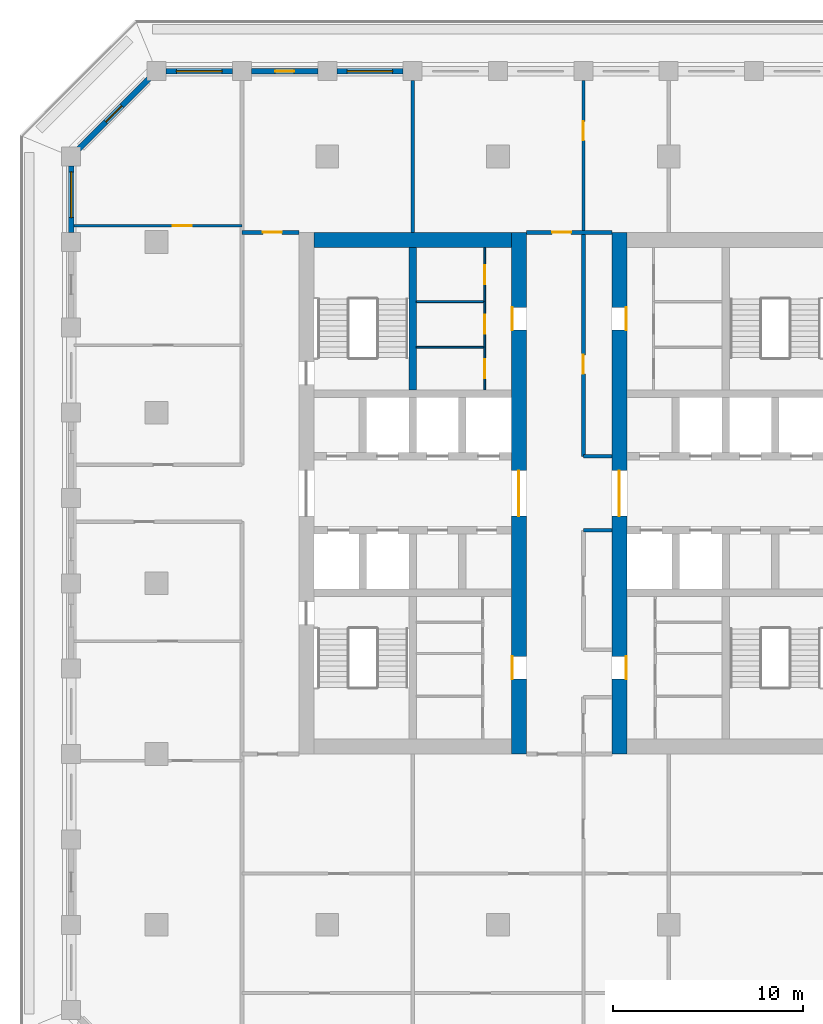
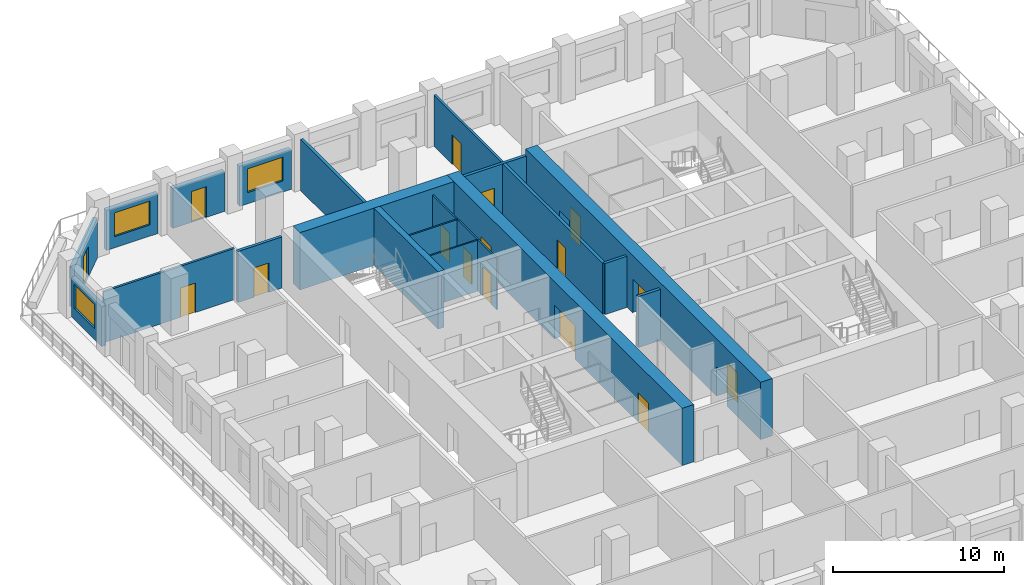
# One storey, part 6 of 16: 22 walls, 16 doors, 3 windows, 19 openings.
"""IFC4 building model written with IfcOpenShell, lengths in metres."""

from ifc_helpers import new_model, si_unit, direction, frame, frame_2d, origin, place, context, subcontext, project, spatial, rectangle, extrude, material, layer, layer_set, type_object, element, fill, save


model = new_model("IFC4")

# Units and contexts
model_context = context("Model", 3, precision=1e-05, world=origin(), true_north=direction((0.0, 1.0)))
body_context = subcontext(model_context, "Body", "Model", "MODEL_VIEW")
ifc_project = project(units=[si_unit("LENGTHUNIT", "METRE"), si_unit("AREAUNIT", "SQUARE_METRE"), si_unit("VOLUMEUNIT", "CUBIC_METRE"), si_unit("PLANEANGLEUNIT", "RADIAN"), si_unit("MASSUNIT", "GRAM", prefix="KILO")], contexts=[model_context])

# Site, building, storey
site_placement = place(None, origin())
site = spatial("IfcSite", under=ifc_project, at=site_placement, CompositionType="ELEMENT")
building_placement = place(site_placement, origin())
building = spatial("IfcBuilding", under=site, at=building_placement, Name="Corbel Stack Research Tower", CompositionType="ELEMENT")
storey_placement = place(building_placement, frame((0.0, 0.0, 212.0)))
storey = spatial("IfcBuildingStorey", under=building, at=storey_placement, Name="L48", CompositionType="ELEMENT", Elevation=212.0)

# Wall
ifc_material_1 = material(Name="Concrete C60/75", Category="concrete")
ifc_layer_1 = layer(ifc_material_1, 0.39990234375)
ifc_layer_set_1 = layer_set([ifc_layer_1], Name="Concrete C60/75")
wall_type_1 = type_object("IfcWallType", Name="CW-400-60", PredefinedType="SHEAR", material=ifc_layer_set_1)
wall_1_placement = place(storey_placement, frame((-4.5, 10.199951171875, 0.0), z_axis=(0.0, 0.0, 1.0), x_axis=(0.0, 1.0, 0.0)))
element("IfcWall", 1, at=wall_1_placement, inside=storey, type_object=wall_type_1, Name="West core wall, north stair and riser L48", PredefinedType="SHEAR", context=body_context, shape_type="SweptSolid", body=[
    extrude(rectangle(XDim=7.5, YDim=0.39990234375, at=frame_2d((3.75, 0.0))), origin(), (0.0, 0.0, 1.0), 4.10009765625),
])

# Wall, openings, doors
ifc_material_2 = material(Name="Concrete C60/75", Category="concrete")
ifc_layer_2 = layer(ifc_material_2, 0.800048828125)
ifc_layer_set_2 = layer_set([ifc_layer_2], Name="Concrete C60/75")
wall_type_2 = type_object("IfcWallType", Name="CW-800-60", PredefinedType="SHEAR", material=ifc_layer_set_2)
wall_2_placement = place(storey_placement, frame((1.10009765625, -9.0, 0.0), z_axis=(0.0, 0.0, 1.0), x_axis=(0.0, 1.0, 0.0)))
wall_2 = element("IfcWall", 2, at=wall_2_placement, inside=storey, type_object=wall_type_2, Name="West core wall, east face L48", PredefinedType="SHEAR", context=body_context, shape_type="SweptSolid", body=[
    extrude(rectangle(XDim=27.5, YDim=0.800048828125, at=frame_2d((13.75, 0.0))), origin(), (0.0, 0.0, 1.0), 4.10009765625),
])
opening_1_placement = place(wall_2_placement, frame((12.550048828125, 0.0, 0.0)))
opening_1 = element("IfcOpeningElement", 3, at=opening_1_placement, cuts=wall_2, Name="Opening CD-W-E", PredefinedType="OPENING", context=body_context, shape_type="SweptSolid", body=[
    extrude(rectangle(XDim=2.39990234375, YDim=2.39990234375, at=frame_2d((1.199951171875, 1.199951171875))), frame((0.0, 0.409912109375, 0.0), z_axis=(0.0, -1.0, 0.0), x_axis=(1.0, 0.0, 0.0)), (0.0, 0.0, 1.0), 0.820068359375),
])
opening_2_placement = place(wall_2_placement, frame((3.949951171875, 0.0, 0.0)))
opening_2 = element("IfcOpeningElement", 4, at=opening_2_placement, cuts=wall_2, Name="Opening CR-W42-W1-1200", PredefinedType="OPENING", context=body_context, shape_type="SweptSolid", body=[
    extrude(rectangle(XDim=1.199951171875, YDim=2.10009765625, at=frame_2d((0.60009765625, 1.050048828125))), frame((0.0, 0.409912109375, 0.0), z_axis=(0.0, -1.0, 0.0), x_axis=(1.0, 0.0, 0.0)), (0.0, 0.0, 1.0), 0.820068359375),
])
opening_3_placement = place(wall_2_placement, frame((22.35009765625, 0.0, 0.0)))
opening_3 = element("IfcOpeningElement", 5, at=opening_3_placement, cuts=wall_2, Name="Opening CR-W42-R1-1200", PredefinedType="OPENING", context=body_context, shape_type="SweptSolid", body=[
    extrude(rectangle(XDim=1.199951171875, YDim=2.10009765625, at=frame_2d((0.60009765625, 1.050048828125))), frame((0.0, 0.409912109375, 0.0), z_axis=(0.0, -1.0, 0.0), x_axis=(1.0, 0.0, 0.0)), (0.0, 0.0, 1.0), 0.820068359375),
])
ifc_material_3 = material(Name="Painted steel fire door", Category="steel")
door_type_1 = type_object("IfcDoorType", Name="Lobby door pair 2400 x 2400 FD30S", OperationType="DOUBLE_DOOR_DOUBLE_SWING", PredefinedType="DOOR", material=ifc_material_3)
door_1_placement = place(opening_1_placement, origin())
door_1 = element("IfcDoor", 6, at=door_1_placement, inside=storey, type_object=door_type_1, Name="Lift lobby door W core E", OperationType="DOUBLE_DOOR_DOUBLE_SWING", OverallHeight=2.39990234375, OverallWidth=2.39990234375, PredefinedType="DOOR", context=body_context, shape_type="SweptSolid", body=[
    extrude(rectangle(XDim=2.39990234375, YDim=2.39990234375, at=frame_2d((1.199951171875, 1.199951171875))), frame((0.0, 0.02490234375, 0.0), z_axis=(0.0, -1.0, 0.0), x_axis=(1.0, 0.0, 0.0)), (0.0, 0.0, 1.0), 0.050048828125),
])
fill(opening_1, door_1)
ifc_material_4 = material(Name="Painted steel door", Category="steel")
door_type_2 = type_object("IfcDoorType", Name="Service door 1200 x 2100 FD30 left hand", OperationType="SINGLE_SWING_LEFT", PredefinedType="DOOR", material=ifc_material_4)
door_2_placement = place(opening_3_placement, origin())
door_2 = element("IfcDoor", 7, at=door_2_placement, inside=storey, type_object=door_type_2, Name="Service passage door W core", OperationType="SINGLE_SWING_LEFT", OverallHeight=2.10009765625, OverallWidth=1.199951171875, PredefinedType="DOOR", context=body_context, shape_type="SweptSolid", body=[
    extrude(rectangle(XDim=1.199951171875, YDim=2.10009765625, at=frame_2d((0.60009765625, 1.050048828125))), frame((0.0, 0.375, 0.0), z_axis=(0.0, -1.0, 0.0), x_axis=(1.0, 0.0, 0.0)), (0.0, 0.0, 1.0), 0.050048828125),
])
fill(opening_3, door_2)
ifc_material_5 = material(Name="Painted timber door", Category="wood")
door_type_3 = type_object("IfcDoorType", Name="WC door 1200 x 2100 left hand", OperationType="SINGLE_SWING_LEFT", PredefinedType="DOOR", material=ifc_material_5)
door_3_placement = place(opening_2_placement, origin())
door_3 = element("IfcDoor", 8, at=door_3_placement, inside=storey, type_object=door_type_3, Name="WC lobby door W core", OperationType="SINGLE_SWING_LEFT", OverallHeight=2.10009765625, OverallWidth=1.199951171875, PredefinedType="DOOR", context=body_context, shape_type="SweptSolid", body=[
    extrude(rectangle(XDim=1.199951171875, YDim=2.10009765625, at=frame_2d((0.60009765625, 1.050048828125))), frame((0.0, 0.375, 0.0), z_axis=(0.0, -1.0, 0.0), x_axis=(1.0, 0.0, 0.0)), (0.0, 0.0, 1.0), 0.050048828125),
])
fill(opening_2, door_3)

# Wall
wall_3_placement = place(storey_placement, frame((-9.699951171875, 18.10009765625, 0.0), z_axis=(0.0, 0.0, 1.0), x_axis=(1.0, 0.0, 0.0)))
element("IfcWall", 9, at=wall_3_placement, inside=storey, type_object=wall_type_2, Name="West core wall, north end L48", PredefinedType="SHEAR", context=body_context, shape_type="SweptSolid", body=[
    extrude(rectangle(XDim=10.39990234375, YDim=0.800048828125, at=frame_2d((5.199951171875, 0.0))), origin(), (0.0, 0.0, 1.0), 4.10009765625),
])

# Wall, openings, doors
wall_4_placement = place(storey_placement, frame((6.39990234375, -9.0, 0.0), z_axis=(0.0, 0.0, 1.0), x_axis=(0.0, 1.0, 0.0)))
wall_4 = element("IfcWall", 10, at=wall_4_placement, inside=storey, type_object=wall_type_2, Name="East core wall, west face L48", PredefinedType="SHEAR", context=body_context, shape_type="SweptSolid", body=[
    extrude(rectangle(XDim=27.5, YDim=0.800048828125, at=frame_2d((13.75, 0.0))), origin(), (0.0, 0.0, 1.0), 4.10009765625),
])
opening_4_placement = place(wall_4_placement, frame((12.550048828125, 0.0, 0.0)))
opening_4 = element("IfcOpeningElement", 11, at=opening_4_placement, cuts=wall_4, Name="Opening CD-E-W", PredefinedType="OPENING", context=body_context, shape_type="SweptSolid", body=[
    extrude(rectangle(XDim=2.39990234375, YDim=2.39990234375, at=frame_2d((1.199951171875, 1.199951171875))), frame((0.0, 0.409912109375, 0.0), z_axis=(0.0, -1.0, 0.0), x_axis=(1.0, 0.0, 0.0)), (0.0, 0.0, 1.0), 0.820068359375),
])
opening_5_placement = place(wall_4_placement, frame((3.949951171875, 0.0, 0.0)))
opening_5 = element("IfcOpeningElement", 12, at=opening_5_placement, cuts=wall_4, Name="Opening CR-E42-W1-1200", PredefinedType="OPENING", context=body_context, shape_type="SweptSolid", body=[
    extrude(rectangle(XDim=1.199951171875, YDim=2.10009765625, at=frame_2d((0.60009765625, 1.050048828125))), frame((0.0, 0.409912109375, 0.0), z_axis=(0.0, -1.0, 0.0), x_axis=(1.0, 0.0, 0.0)), (0.0, 0.0, 1.0), 0.820068359375),
])
opening_6_placement = place(wall_4_placement, frame((22.35009765625, 0.0, 0.0)))
opening_6 = element("IfcOpeningElement", 13, at=opening_6_placement, cuts=wall_4, Name="Opening CR-E42-R1-1200", PredefinedType="OPENING", context=body_context, shape_type="SweptSolid", body=[
    extrude(rectangle(XDim=1.199951171875, YDim=2.10009765625, at=frame_2d((0.60009765625, 1.050048828125))), frame((0.0, 0.409912109375, 0.0), z_axis=(0.0, -1.0, 0.0), x_axis=(1.0, 0.0, 0.0)), (0.0, 0.0, 1.0), 0.820068359375),
])
door_4_placement = place(opening_4_placement, origin())
door_4 = element("IfcDoor", 14, at=door_4_placement, inside=storey, type_object=door_type_1, Name="Lift lobby door E core W", OperationType="DOUBLE_DOOR_DOUBLE_SWING", OverallHeight=2.39990234375, OverallWidth=2.39990234375, PredefinedType="DOOR", context=body_context, shape_type="SweptSolid", body=[
    extrude(rectangle(XDim=2.39990234375, YDim=2.39990234375, at=frame_2d((1.199951171875, 1.199951171875))), frame((0.0, 0.02490234375, 0.0), z_axis=(0.0, -1.0, 0.0), x_axis=(1.0, 0.0, 0.0)), (0.0, 0.0, 1.0), 0.050048828125),
])
fill(opening_4, door_4)
ifc_material_6 = material(Name="Painted steel door", Category="steel")
door_type_4 = type_object("IfcDoorType", Name="Service door 1200 x 2100 FD30 right hand", OperationType="SINGLE_SWING_RIGHT", PredefinedType="DOOR", material=ifc_material_6)
door_5_placement = place(opening_6_placement, origin())
door_5 = element("IfcDoor", 15, at=door_5_placement, inside=storey, type_object=door_type_4, Name="Service passage door E core", OperationType="SINGLE_SWING_RIGHT", OverallHeight=2.10009765625, OverallWidth=1.199951171875, PredefinedType="DOOR", context=body_context, shape_type="SweptSolid", body=[
    extrude(rectangle(XDim=1.199951171875, YDim=2.10009765625, at=frame_2d((0.60009765625, 1.050048828125))), frame((0.0, -0.3251953125, 0.0), z_axis=(0.0, -1.0, 0.0), x_axis=(1.0, 0.0, 0.0)), (0.0, 0.0, 1.0), 0.050048828125),
])
fill(opening_6, door_5)
ifc_material_7 = material(Name="Painted timber door", Category="wood")
door_type_5 = type_object("IfcDoorType", Name="WC door 1200 x 2100 right hand", OperationType="SINGLE_SWING_RIGHT", PredefinedType="DOOR", material=ifc_material_7)
door_6_placement = place(opening_5_placement, origin())
door_6 = element("IfcDoor", 16, at=door_6_placement, inside=storey, type_object=door_type_5, Name="WC lobby door E core", OperationType="SINGLE_SWING_RIGHT", OverallHeight=2.10009765625, OverallWidth=1.199951171875, PredefinedType="DOOR", context=body_context, shape_type="SweptSolid", body=[
    extrude(rectangle(XDim=1.199951171875, YDim=2.10009765625, at=frame_2d((0.60009765625, 1.050048828125))), frame((0.0, -0.3251953125, 0.0), z_axis=(0.0, -1.0, 0.0), x_axis=(1.0, 0.0, 0.0)), (0.0, 0.0, 1.0), 0.050048828125),
])
fill(opening_5, door_6)

# Wall, opening, door
ifc_material_8 = material(Name="Gypsum board")
ifc_layer_3 = layer(ifc_material_8, 0.10009765625)
ifc_layer_set_3 = layer_set([ifc_layer_3], Name="Gypsum board")
wall_type_3 = type_object("IfcWallType", Name="Core partition 100", PredefinedType="PARTITIONING", material=ifc_layer_set_3)
wall_5_placement = place(storey_placement, frame((-0.699951171875, 10.199951171875, 0.0), z_axis=(0.0, 0.0, 1.0), x_axis=(0.0, 1.0, 0.0)))
wall_5 = element("IfcWall", 17, at=wall_5_placement, inside=storey, type_object=wall_type_3, Name="Core partition W", PredefinedType="PARTITIONING", context=body_context, shape_type="SweptSolid", body=[
    extrude(rectangle(XDim=2.25, YDim=0.10009765625, at=frame_2d((1.125, 0.0))), origin(), (0.0, 0.0, 1.0), 3.64990234375),
])
opening_7_placement = place(wall_5_placement, frame((0.625, 0.0, 0.0)))
opening_7 = element("IfcOpeningElement", 18, at=opening_7_placement, cuts=wall_5, Name="Opening CR-W42-R2-1000", PredefinedType="OPENING", context=body_context, shape_type="SweptSolid", body=[
    extrude(rectangle(XDim=1.0, YDim=2.10009765625, at=frame_2d((0.5, 1.050048828125))), frame((0.0, 0.06005859375, 0.0), z_axis=(0.0, -1.0, 0.0), x_axis=(1.0, 0.0, 0.0)), (0.0, 0.0, 1.0), 0.1201171875),
])
ifc_material_9 = material(Name="Painted steel door", Category="steel")
door_type_6 = type_object("IfcDoorType", Name="Riser door 1000 x 2100 FD60 right hand", OperationType="SINGLE_SWING_RIGHT", PredefinedType="DOOR", material=ifc_material_9)
door_7_placement = place(opening_7_placement, origin())
door_7 = element("IfcDoor", 19, at=door_7_placement, inside=storey, type_object=door_type_6, Name="Mechanical riser door W core", OperationType="SINGLE_SWING_RIGHT", OverallHeight=2.10009765625, OverallWidth=1.0, PredefinedType="DOOR", context=body_context, shape_type="SweptSolid", body=[
    extrude(rectangle(XDim=1.0, YDim=2.10009765625, at=frame_2d((0.5, 1.050048828125))), frame((0.0, 0.02490234375, 0.0), z_axis=(0.0, -1.0, 0.0), x_axis=(1.0, 0.0, 0.0)), (0.0, 0.0, 1.0), 0.050048828125),
])
fill(opening_7, door_7)

wall_6_placement = place(storey_placement, frame((-0.699951171875, 12.449951171875, 0.0), z_axis=(0.0, 0.0, 1.0), x_axis=(0.0, 1.0, 0.0)))
wall_6 = element("IfcWall", 20, at=wall_6_placement, inside=storey, type_object=wall_type_3, Name="Core partition W", PredefinedType="PARTITIONING", context=body_context, shape_type="SweptSolid", body=[
    extrude(rectangle(XDim=2.400146484375, YDim=0.10009765625, at=frame_2d((1.2001953125, 0.0))), origin(), (0.0, 0.0, 1.0), 3.64990234375),
])
opening_8_placement = place(wall_6_placement, frame((0.699951171875, 0.0, 0.0)))
opening_8 = element("IfcOpeningElement", 21, at=opening_8_placement, cuts=wall_6, Name="Opening CR-W42-R3-1000", PredefinedType="OPENING", context=body_context, shape_type="SweptSolid", body=[
    extrude(rectangle(XDim=1.0, YDim=2.10009765625, at=frame_2d((0.5, 1.050048828125))), frame((0.0, 0.06005859375, 0.0), z_axis=(0.0, -1.0, 0.0), x_axis=(1.0, 0.0, 0.0)), (0.0, 0.0, 1.0), 0.1201171875),
])
ifc_material_10 = material(Name="Painted steel door", Category="steel")
door_type_7 = type_object("IfcDoorType", Name="Service door 1000 x 2100 FD30 left hand", OperationType="SINGLE_SWING_LEFT", PredefinedType="DOOR", material=ifc_material_10)
door_8_placement = place(opening_8_placement, origin())
door_8 = element("IfcDoor", 22, at=door_8_placement, inside=storey, type_object=door_type_7, Name="Pantry door W core", OperationType="SINGLE_SWING_LEFT", OverallHeight=2.10009765625, OverallWidth=1.0, PredefinedType="DOOR", context=body_context, shape_type="SweptSolid", body=[
    extrude(rectangle(XDim=1.0, YDim=2.10009765625, at=frame_2d((0.5, 1.050048828125))), frame((0.0, 0.02490234375, 0.0), z_axis=(0.0, -1.0, 0.0), x_axis=(1.0, 0.0, 0.0)), (0.0, 0.0, 1.0), 0.050048828125),
])
fill(opening_8, door_8)

wall_7_placement = place(storey_placement, frame((-0.699951171875, 14.85009765625, 0.0), z_axis=(0.0, 0.0, 1.0), x_axis=(0.0, 1.0, 0.0)))
wall_7 = element("IfcWall", 23, at=wall_7_placement, inside=storey, type_object=wall_type_3, Name="Core partition W", PredefinedType="PARTITIONING", context=body_context, shape_type="SweptSolid", body=[
    extrude(rectangle(XDim=2.849853515625, YDim=0.10009765625, at=frame_2d((1.4248046875, 0.0))), origin(), (0.0, 0.0, 1.0), 3.64990234375),
])
opening_9_placement = place(wall_7_placement, frame((0.925048828125, 0.0, 0.0)))
opening_9 = element("IfcOpeningElement", 24, at=opening_9_placement, cuts=wall_7, Name="Opening CR-W42-R4-1000", PredefinedType="OPENING", context=body_context, shape_type="SweptSolid", body=[
    extrude(rectangle(XDim=1.0, YDim=2.10009765625, at=frame_2d((0.5, 1.050048828125))), frame((0.0, 0.06005859375, 0.0), z_axis=(0.0, -1.0, 0.0), x_axis=(1.0, 0.0, 0.0)), (0.0, 0.0, 1.0), 0.1201171875),
])
door_9_placement = place(opening_9_placement, origin())
door_9 = element("IfcDoor", 25, at=door_9_placement, inside=storey, type_object=door_type_6, Name="Electrical riser door W core", OperationType="SINGLE_SWING_RIGHT", OverallHeight=2.10009765625, OverallWidth=1.0, PredefinedType="DOOR", context=body_context, shape_type="SweptSolid", body=[
    extrude(rectangle(XDim=1.0, YDim=2.10009765625, at=frame_2d((0.5, 1.050048828125))), frame((0.0, 0.02490234375, 0.0), z_axis=(0.0, -1.0, 0.0), x_axis=(1.0, 0.0, 0.0)), (0.0, 0.0, 1.0), 0.050048828125),
])
fill(opening_9, door_9)

# Walls
for number, where, z_axis, x_axis, name in (
    (26, (-4.300048828125, 12.449951171875, 0.0), (0.0, 0.0, 1.0), (1.0, 0.0, 0.0), "Core partition W"),
    (27, (-4.300048828125, 14.85009765625, 0.0), (0.0, 0.0, 1.0), (1.0, 0.0, 0.0), "Core partition W"),
):
    element("IfcWall", number, at=place(storey_placement, frame(where, z_axis=z_axis, x_axis=x_axis)), inside=storey, type_object=wall_type_3, Name=name, PredefinedType="PARTITIONING", context=body_context, shape_type="SweptSolid", body=[
        extrude(rectangle(XDim=3.60009765625, YDim=0.10009765625, at=frame_2d((1.800048828125, 0.0))), origin(), (0.0, 0.0, 1.0), 3.64990234375),
    ])

# Wall, opening, door
ifc_material_11 = material(Name="Fire-rated gypsum board partition on steel studs", Category="steel")
ifc_layer_4 = layer(ifc_material_11, 0.14990234375)
ifc_layer_set_4 = layer_set([ifc_layer_4], Name="Fire-rated gypsum board partition on steel studs")
wall_type_4 = type_object("IfcWallType", Name="Fire-rated partition 150 EI 60", PredefinedType="PARTITIONING", material=ifc_layer_set_4)
wall_8_placement = place(storey_placement, frame((4.5, 26.5, 0.0), z_axis=(0.0, 0.0, 1.0), x_axis=(0.0, -1.0, 0.0)))
wall_8 = element("IfcWall", 28, at=wall_8_placement, inside=storey, type_object=wall_type_4, Name="Partition L48-006", PredefinedType="PARTITIONING", context=body_context, shape_type="SweptSolid", body=[
    extrude(rectangle(XDim=8.0, YDim=0.14990234375, at=frame_2d((4.0, 0.0))), origin(), (0.0, 0.0, 1.0), 3.64990234375),
])
opening_10_placement = place(wall_8_placement, frame((2.14990234375, 0.0, 0.0)))
opening_10 = element("IfcOpeningElement", 29, at=opening_10_placement, cuts=wall_8, Name="Opening B6V1-022", PredefinedType="OPENING", context=body_context, shape_type="SweptSolid", body=[
    extrude(rectangle(XDim=1.0, YDim=2.10009765625, at=frame_2d((0.5, 1.050048828125))), frame((0.0, 0.0849609375, 0.0), z_axis=(0.0, -1.0, 0.0), x_axis=(1.0, 0.0, 0.0)), (0.0, 0.0, 1.0), 0.169921875),
])
ifc_material_12 = material(Name="Painted steel fire door", Category="steel")
door_type_8 = type_object("IfcDoorType", Name="Fire door FD30S 1000 x 2100", OperationType="NOTDEFINED", PredefinedType="DOOR", material=ifc_material_12)
door_10_placement = place(opening_10_placement, origin())
door_10 = element("IfcDoor", 30, at=door_10_placement, inside=storey, type_object=door_type_8, Name="Door B6V1-022", OperationType="SINGLE_SWING_LEFT", OverallHeight=2.10009765625, OverallWidth=1.0, PredefinedType="DOOR", context=body_context, shape_type="SweptSolid", body=[
    extrude(rectangle(XDim=1.0, YDim=2.10009765625, at=frame_2d((0.5, 1.050048828125))), frame((0.0, 0.02490234375, 0.0), z_axis=(0.0, -1.0, 0.0), x_axis=(1.0, 0.0, 0.0)), (0.0, 0.0, 1.0), 0.050048828125),
])
fill(opening_10, door_10)

# Wall
ifc_material_13 = material(Name="Fire-rated gypsum board partition on steel studs", Category="steel")
ifc_layer_5 = layer(ifc_material_13, 0.199951171875)
ifc_layer_set_5 = layer_set([ifc_layer_5], Name="Fire-rated gypsum board partition on steel studs")
wall_type_5 = type_object("IfcWallType", Name="Fire-rated partition 200 EI 60", PredefinedType="PARTITIONING", material=ifc_layer_set_5)
wall_9_placement = place(storey_placement, frame((-4.5, 18.5, 0.0), z_axis=(0.0, 0.0, 1.0), x_axis=(0.0, 1.0, 0.0)))
element("IfcWall", 31, at=wall_9_placement, inside=storey, type_object=wall_type_5, Name="Partition L48-004", PredefinedType="PARTITIONING", context=body_context, shape_type="SweptSolid", body=[
    extrude(rectangle(XDim=8.0, YDim=0.199951171875, at=frame_2d((4.0, 0.0))), origin(), (0.0, 0.0, 1.0), 3.64990234375),
])

# Wall, opening, door
wall_10_placement = place(storey_placement, frame((4.5, 18.5, 0.0), z_axis=(0.0, 0.0, 1.0), x_axis=(0.0, -1.0, 0.0)))
wall_10 = element("IfcWall", 32, at=wall_10_placement, inside=storey, type_object=wall_type_5, Name="Partition L48-009", PredefinedType="PARTITIONING", context=body_context, shape_type="SweptSolid", body=[
    extrude(rectangle(XDim=11.800048828125, YDim=0.199951171875, at=frame_2d((5.89990234375, 0.0))), origin(), (0.0, 0.0, 1.0), 3.64990234375),
])
opening_11_placement = place(wall_10_placement, frame((6.449951171875, 0.0, 0.0)))
opening_11 = element("IfcOpeningElement", 33, at=opening_11_placement, cuts=wall_10, Name="Opening B6V1-021", PredefinedType="OPENING", context=body_context, shape_type="SweptSolid", body=[
    extrude(rectangle(XDim=1.0, YDim=2.10009765625, at=frame_2d((0.5, 1.050048828125))), frame((0.0, 0.10986328125, 0.0), z_axis=(0.0, -1.0, 0.0), x_axis=(1.0, 0.0, 0.0)), (0.0, 0.0, 1.0), 0.219970703125),
])
door_11_placement = place(opening_11_placement, origin())
door_11 = element("IfcDoor", 34, at=door_11_placement, inside=storey, type_object=door_type_8, Name="Door B6V1-021", OperationType="SINGLE_SWING_RIGHT", OverallHeight=2.10009765625, OverallWidth=1.0, PredefinedType="DOOR", context=body_context, shape_type="SweptSolid", body=[
    extrude(rectangle(XDim=1.0, YDim=2.10009765625, at=frame_2d((0.5, 1.050048828125))), frame((0.0, 0.02490234375, 0.0), z_axis=(0.0, -1.0, 0.0), x_axis=(1.0, 0.0, 0.0)), (0.0, 0.0, 1.0), 0.050048828125),
])
fill(opening_11, door_11)

# Walls
for number, where, z_axis, x_axis, name in (
    (35, (4.5, 2.800048828125, 0.0), (0.0, 0.0, 1.0), (1.0, 0.0, 0.0), "Partition L48-030"),
    (36, (4.5, 6.699951171875, 0.0), (0.0, 0.0, 1.0), (1.0, 0.0, 0.0), "Partition L48-035"),
):
    element("IfcWall", number, at=place(storey_placement, frame(where, z_axis=z_axis, x_axis=x_axis)), inside=storey, type_object=wall_type_5, Name=name, PredefinedType="PARTITIONING", context=body_context, shape_type="SweptSolid", body=[
        extrude(rectangle(XDim=1.5, YDim=0.199951171875, at=frame_2d((0.75, 0.0))), origin(), (0.0, 0.0, 1.0), 3.64990234375),
    ])

# Wall, opening, door
wall_11_placement = place(storey_placement, frame((-13.5, 18.5, 0.0), z_axis=(0.0, 0.0, 1.0), x_axis=(1.0, 0.0, 0.0)))
wall_11 = element("IfcWall", 37, at=wall_11_placement, inside=storey, type_object=wall_type_5, Name="Partition L48-038", PredefinedType="PARTITIONING", context=body_context, shape_type="SweptSolid", body=[
    extrude(rectangle(XDim=3.0, YDim=0.199951171875, at=frame_2d((1.5, 0.0))), origin(), (0.0, 0.0, 1.0), 3.64990234375),
])
opening_12_placement = place(wall_11_placement, frame((1.10009765625, 0.0, 0.0)))
opening_12 = element("IfcOpeningElement", 38, at=opening_12_placement, cuts=wall_11, Name="Opening B6V1-027", PredefinedType="OPENING", context=body_context, shape_type="SweptSolid", body=[
    extrude(rectangle(XDim=1.0, YDim=2.10009765625, at=frame_2d((0.5, 1.050048828125))), frame((0.0, 0.10986328125, 0.0), z_axis=(0.0, -1.0, 0.0), x_axis=(1.0, 0.0, 0.0)), (0.0, 0.0, 1.0), 0.219970703125),
])
door_12_placement = place(opening_12_placement, origin())
door_12 = element("IfcDoor", 39, at=door_12_placement, inside=storey, type_object=door_type_8, Name="Door B6V1-027", OperationType="SINGLE_SWING_RIGHT", OverallHeight=2.10009765625, OverallWidth=1.0, PredefinedType="DOOR", context=body_context, shape_type="SweptSolid", body=[
    extrude(rectangle(XDim=1.0, YDim=2.10009765625, at=frame_2d((0.5, 1.050048828125))), frame((0.0, 0.02490234375, 0.0), z_axis=(0.0, -1.0, 0.0), x_axis=(1.0, 0.0, 0.0)), (0.0, 0.0, 1.0), 0.050048828125),
])
fill(opening_12, door_12)

wall_12_placement = place(storey_placement, frame((1.5, 18.5, 0.0), z_axis=(0.0, 0.0, 1.0), x_axis=(1.0, 0.0, 0.0)))
wall_12 = element("IfcWall", 40, at=wall_12_placement, inside=storey, type_object=wall_type_5, Name="Partition L48-039", PredefinedType="PARTITIONING", context=body_context, shape_type="SweptSolid", body=[
    extrude(rectangle(XDim=4.5, YDim=0.199951171875, at=frame_2d((2.25, 0.0))), origin(), (0.0, 0.0, 1.0), 3.64990234375),
])
opening_13_placement = place(wall_12_placement, frame((1.35009765625, 0.0, 0.0)))
opening_13 = element("IfcOpeningElement", 41, at=opening_13_placement, cuts=wall_12, Name="Opening B6V1-028", PredefinedType="OPENING", context=body_context, shape_type="SweptSolid", body=[
    extrude(rectangle(XDim=1.0, YDim=2.10009765625, at=frame_2d((0.5, 1.050048828125))), frame((0.0, 0.10986328125, 0.0), z_axis=(0.0, -1.0, 0.0), x_axis=(1.0, 0.0, 0.0)), (0.0, 0.0, 1.0), 0.219970703125),
])
door_13_placement = place(opening_13_placement, origin())
door_13 = element("IfcDoor", 42, at=door_13_placement, inside=storey, type_object=door_type_8, Name="Door B6V1-028", OperationType="SINGLE_SWING_LEFT", OverallHeight=2.10009765625, OverallWidth=1.0, PredefinedType="DOOR", context=body_context, shape_type="SweptSolid", body=[
    extrude(rectangle(XDim=1.0, YDim=2.10009765625, at=frame_2d((0.5, 1.050048828125))), frame((0.0, 0.02490234375, 0.0), z_axis=(0.0, -1.0, 0.0), x_axis=(1.0, 0.0, 0.0)), (0.0, 0.0, 1.0), 0.050048828125),
])
fill(opening_13, door_13)

ifc_material_14 = material(Name="Gypsum board partition on steel studs", Category="steel")
ifc_layer_6 = layer(ifc_material_14, 0.14990234375)
ifc_layer_set_6 = layer_set([ifc_layer_6], Name="Gypsum board partition on steel studs")
wall_type_6 = type_object("IfcWallType", Name="Partition 150", PredefinedType="PARTITIONING", material=ifc_layer_set_6)
wall_13_placement = place(storey_placement, frame((-22.35009765625, 18.85009765625, 0.0), z_axis=(0.0, 0.0, 1.0), x_axis=(1.0, 0.0, 0.0)))
wall_13 = element("IfcWall", 43, at=wall_13_placement, inside=storey, type_object=wall_type_6, Name="Partition L48-041", PredefinedType="PARTITIONING", context=body_context, shape_type="SweptSolid", body=[
    extrude(rectangle(XDim=8.85009765625, YDim=0.14990234375, at=frame_2d((4.425048828125, 0.0))), origin(), (0.0, 0.0, 1.0), 3.64990234375),
])
opening_14_placement = place(wall_13_placement, frame((5.199951171875, 0.0, 0.0)))
opening_14 = element("IfcOpeningElement", 44, at=opening_14_placement, cuts=wall_13, Name="Opening B6V1-030", PredefinedType="OPENING", context=body_context, shape_type="SweptSolid", body=[
    extrude(rectangle(XDim=1.0, YDim=2.10009765625, at=frame_2d((0.5, 1.050048828125))), frame((0.0, 0.0849609375, 0.0), z_axis=(0.0, -1.0, 0.0), x_axis=(1.0, 0.0, 0.0)), (0.0, 0.0, 1.0), 0.169921875),
])
ifc_material_15 = material(Name="Painted timber door", Category="wood")
door_type_9 = type_object("IfcDoorType", Name="Single door 1000 x 2100", OperationType="NOTDEFINED", PredefinedType="DOOR", material=ifc_material_15)
door_14_placement = place(opening_14_placement, origin())
door_14 = element("IfcDoor", 45, at=door_14_placement, inside=storey, type_object=door_type_9, Name="Door B6V1-030", OperationType="SINGLE_SWING_RIGHT", OverallHeight=2.10009765625, OverallWidth=1.0, PredefinedType="DOOR", context=body_context, shape_type="SweptSolid", body=[
    extrude(rectangle(XDim=1.0, YDim=2.10009765625, at=frame_2d((0.5, 1.050048828125))), frame((0.0, 0.02490234375, 0.0), z_axis=(0.0, -1.0, 0.0), x_axis=(1.0, 0.0, 0.0)), (0.0, 0.0, 1.0), 0.050048828125),
])
fill(opening_14, door_14)

# Wall, opening, window
ifc_material_16 = material(Name="Concrete C45/55", Category="concrete")
ifc_layer_7 = layer(ifc_material_16, 0.300048828125)
ifc_layer_set_7 = layer_set([ifc_layer_7], Name="Concrete C45/55")
wall_type_7 = type_object("IfcWallType", Name="Terracotta-faced concrete wall 300", PredefinedType="SOLIDWALL", material=ifc_layer_set_7)
wall_14_placement = place(storey_placement, frame((-8.5, 27.0, 0.0), z_axis=(0.0, 0.0, 1.0), x_axis=(1.0, 0.0, 0.0)))
wall_14 = element("IfcWall", 46, at=wall_14_placement, inside=storey, type_object=wall_type_7, Name="Facade wall L48 N08", PredefinedType="SOLIDWALL", context=body_context, shape_type="SweptSolid", body=[
    extrude(rectangle(XDim=3.5, YDim=0.300048828125, at=frame_2d((1.75, 0.0))), origin(), (0.0, 0.0, 1.0), 2.85009765625),
])
opening_15_placement = place(wall_14_placement, frame((0.550048828125, 0.0, 0.800048828125)))
opening_15 = element("IfcOpeningElement", 47, at=opening_15_placement, cuts=wall_14, Name="Opening W1", PredefinedType="OPENING", context=body_context, shape_type="SweptSolid", body=[
    extrude(rectangle(XDim=2.39990234375, YDim=1.699951171875, at=frame_2d((1.199951171875, 0.85009765625))), frame((0.0, 0.159912109375, 0.0), z_axis=(0.0, -1.0, 0.0), x_axis=(1.0, 0.0, 0.0)), (0.0, 0.0, 1.0), 0.320068359375),
])
ifc_material_17 = material(Name="Aluminium frame, clear double glazing", Category="aluminium")
window_type = type_object("IfcWindowType", Name="Window W1 2400 x 1700", PartitioningType="SINGLE_PANEL", PredefinedType="WINDOW", material=ifc_material_17)
window_1_placement = place(opening_15_placement, origin())
window_1 = element("IfcWindow", 48, at=window_1_placement, inside=storey, type_object=window_type, Name="Window W1 L48 N08", OverallHeight=1.699951171875, OverallWidth=2.39990234375, PartitioningType="SINGLE_PANEL", PredefinedType="WINDOW", context=body_context, shape_type="SweptSolid", body=[
    extrude(rectangle(XDim=2.39990234375, YDim=1.699951171875, at=frame_2d((1.199951171875, 0.85009765625))), frame((0.0, 0.030029296875, 0.0), z_axis=(0.0, -1.0, 0.0), x_axis=(1.0, 0.0, 0.0)), (0.0, 0.0, 1.0), 0.06005859375),
])
fill(opening_15, window_1)

# Wall, opening, door
wall_15_placement = place(storey_placement, frame((-13.0, 27.0, 0.0), z_axis=(0.0, 0.0, 1.0), x_axis=(1.0, 0.0, 0.0)))
wall_15 = element("IfcWall", 49, at=wall_15_placement, inside=storey, type_object=wall_type_7, Name="Facade wall L48 N09", PredefinedType="SOLIDWALL", context=body_context, shape_type="SweptSolid", body=[
    extrude(rectangle(XDim=3.5, YDim=0.300048828125, at=frame_2d((1.75, 0.0))), origin(), (0.0, 0.0, 1.0), 2.85009765625),
])
opening_16_placement = place(wall_15_placement, frame((1.25, 0.0, 0.0)))
opening_16 = element("IfcOpeningElement", 50, at=opening_16_placement, cuts=wall_15, Name="Opening L48-B08", PredefinedType="OPENING", context=body_context, shape_type="SweptSolid", body=[
    extrude(rectangle(XDim=1.0, YDim=2.199951171875, at=frame_2d((0.5, 1.10009765625))), frame((0.0, 0.159912109375, 0.0), z_axis=(0.0, -1.0, 0.0), x_axis=(1.0, 0.0, 0.0)), (0.0, 0.0, 1.0), 0.320068359375),
])
ifc_material_18 = material(Name="Aluminium frame, clear double glazing", Category="aluminium")
door_type_10 = type_object("IfcDoorType", Name="Balcony door BD1 1000 x 2200", OperationType="NOTDEFINED", PredefinedType="DOOR", material=ifc_material_18)
door_15_placement = place(opening_16_placement, origin())
door_15 = element("IfcDoor", 51, at=door_15_placement, inside=storey, type_object=door_type_10, Name="Balcony door L48-B08", OperationType="SINGLE_SWING_LEFT", OverallHeight=2.199951171875, OverallWidth=1.0, PredefinedType="DOOR", context=body_context, shape_type="SweptSolid", body=[
    extrude(rectangle(XDim=1.0, YDim=2.199951171875, at=frame_2d((0.5, 1.10009765625))), frame((0.0, 0.02490234375, 0.0), z_axis=(0.0, -1.0, 0.0), x_axis=(1.0, 0.0, 0.0)), (0.0, 0.0, 1.0), 0.050048828125),
])
fill(opening_16, door_15)

# Wall, opening, window
wall_16_placement = place(storey_placement, frame((-17.5, 27.0, 0.0), z_axis=(0.0, 0.0, 1.0), x_axis=(1.0, 0.0, 0.0)))
wall_16 = element("IfcWall", 52, at=wall_16_placement, inside=storey, type_object=wall_type_7, Name="Facade wall L48 N10", PredefinedType="SOLIDWALL", context=body_context, shape_type="SweptSolid", body=[
    extrude(rectangle(XDim=3.5, YDim=0.300048828125, at=frame_2d((1.75, 0.0))), origin(), (0.0, 0.0, 1.0), 2.85009765625),
])
opening_17_placement = place(wall_16_placement, frame((0.550048828125, 0.0, 0.800048828125)))
opening_17 = element("IfcOpeningElement", 53, at=opening_17_placement, cuts=wall_16, Name="Opening W1", PredefinedType="OPENING", context=body_context, shape_type="SweptSolid", body=[
    extrude(rectangle(XDim=2.39990234375, YDim=1.699951171875, at=frame_2d((1.199951171875, 0.85009765625))), frame((0.0, 0.159912109375, 0.0), z_axis=(0.0, -1.0, 0.0), x_axis=(1.0, 0.0, 0.0)), (0.0, 0.0, 1.0), 0.320068359375),
])
window_2_placement = place(opening_17_placement, origin())
window_2 = element("IfcWindow", 54, at=window_2_placement, inside=storey, type_object=window_type, Name="Window W1 L48 N10", OverallHeight=1.699951171875, OverallWidth=2.39990234375, PartitioningType="SINGLE_PANEL", PredefinedType="WINDOW", context=body_context, shape_type="SweptSolid", body=[
    extrude(rectangle(XDim=2.39990234375, YDim=1.699951171875, at=frame_2d((1.199951171875, 0.85009765625))), frame((0.0, 0.030029296875, 0.0), z_axis=(0.0, -1.0, 0.0), x_axis=(1.0, 0.0, 0.0)), (0.0, 0.0, 1.0), 0.06005859375),
])
fill(opening_17, window_2)

# Wall, opening, door
wall_17_placement = place(storey_placement, frame((-22.106201171875, 22.893798828125, 0.0), z_axis=(0.0, 0.0, 1.0), x_axis=(0.707106781187, 0.707106781187, 0.0)))
wall_17 = element("IfcWall", 55, at=wall_17_placement, inside=storey, type_object=wall_type_7, Name="Facade wall L48 NW01", PredefinedType="SOLIDWALL", context=body_context, shape_type="SweptSolid", body=[
    extrude(rectangle(XDim=5.250244140625, YDim=0.300048828125, at=frame_2d((2.625, 0.0))), origin(), (0.0, 0.0, 1.0), 2.85009765625),
])
opening_18_placement = place(wall_17_placement, frame((2.02490234375, 0.0, 0.0)))
opening_18 = element("IfcOpeningElement", 56, at=opening_18_placement, cuts=wall_17, Name="Opening L48-B09", PredefinedType="OPENING", context=body_context, shape_type="SweptSolid", body=[
    extrude(rectangle(XDim=1.199951171875, YDim=2.199951171875, at=frame_2d((0.60009765625, 1.10009765625))), frame((0.0, 0.159912109375, 0.0), z_axis=(0.0, -1.0, 0.0), x_axis=(1.0, 0.0, 0.0)), (0.0, 0.0, 1.0), 0.320068359375),
])
ifc_material_19 = material(Name="Aluminium frame, clear double glazing", Category="aluminium")
door_type_11 = type_object("IfcDoorType", Name="Balcony door BD2 1200 x 2200", OperationType="NOTDEFINED", PredefinedType="DOOR", material=ifc_material_19)
door_16_placement = place(opening_18_placement, origin())
door_16 = element("IfcDoor", 57, at=door_16_placement, inside=storey, type_object=door_type_11, Name="Balcony door L48-B09", OperationType="SINGLE_SWING_LEFT", OverallHeight=2.199951171875, OverallWidth=1.199951171875, PredefinedType="DOOR", context=body_context, shape_type="SweptSolid", body=[
    extrude(rectangle(XDim=1.199951171875, YDim=2.199951171875, at=frame_2d((0.60009765625, 1.10009765625))), frame((0.0, 0.02490234375, 0.0), z_axis=(0.0, -1.0, 0.0), x_axis=(1.0, 0.0, 0.0)), (0.0, 0.0, 1.0), 0.050048828125),
])
fill(opening_18, door_16)

# Wall, opening, window
wall_18_placement = place(storey_placement, frame((-22.5, 18.5, 0.0), z_axis=(0.0, 0.0, 1.0), x_axis=(0.0, 1.0, 0.0)))
wall_18 = element("IfcWall", 58, at=wall_18_placement, inside=storey, type_object=wall_type_7, Name="Facade wall L48 W01", PredefinedType="SOLIDWALL", context=body_context, shape_type="SweptSolid", body=[
    extrude(rectangle(XDim=3.5, YDim=0.300048828125, at=frame_2d((1.75, 0.0))), origin(), (0.0, 0.0, 1.0), 2.85009765625),
])
opening_19_placement = place(wall_18_placement, frame((0.78759765625, 0.0, 0.800048828125)))
opening_19 = element("IfcOpeningElement", 59, at=opening_19_placement, cuts=wall_18, Name="Opening W1", PredefinedType="OPENING", context=body_context, shape_type="SweptSolid", body=[
    extrude(rectangle(XDim=2.39990234375, YDim=1.699951171875, at=frame_2d((1.199951171875, 0.85009765625))), frame((0.0, 0.159912109375, 0.0), z_axis=(0.0, -1.0, 0.0), x_axis=(1.0, 0.0, 0.0)), (0.0, 0.0, 1.0), 0.320068359375),
])
window_3_placement = place(opening_19_placement, origin())
window_3 = element("IfcWindow", 60, at=window_3_placement, inside=storey, type_object=window_type, Name="Window W1 L48 W01", OverallHeight=1.699951171875, OverallWidth=2.39990234375, PartitioningType="SINGLE_PANEL", PredefinedType="WINDOW", context=body_context, shape_type="SweptSolid", body=[
    extrude(rectangle(XDim=2.39990234375, YDim=1.699951171875, at=frame_2d((1.199951171875, 0.85009765625))), frame((0.0, 0.030029296875, 0.0), z_axis=(0.0, -1.0, 0.0), x_axis=(1.0, 0.0, 0.0)), (0.0, 0.0, 1.0), 0.06005859375),
])
fill(opening_19, window_3)

save(model, "model.ifc")
